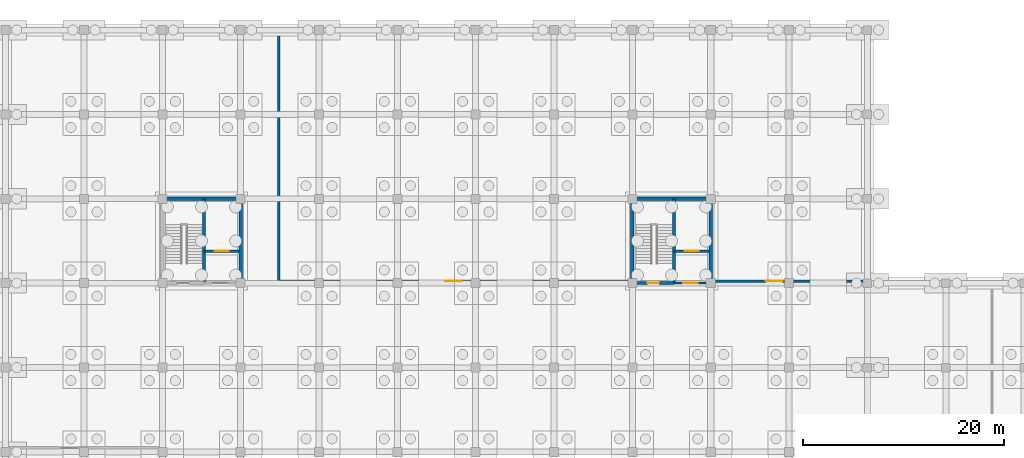
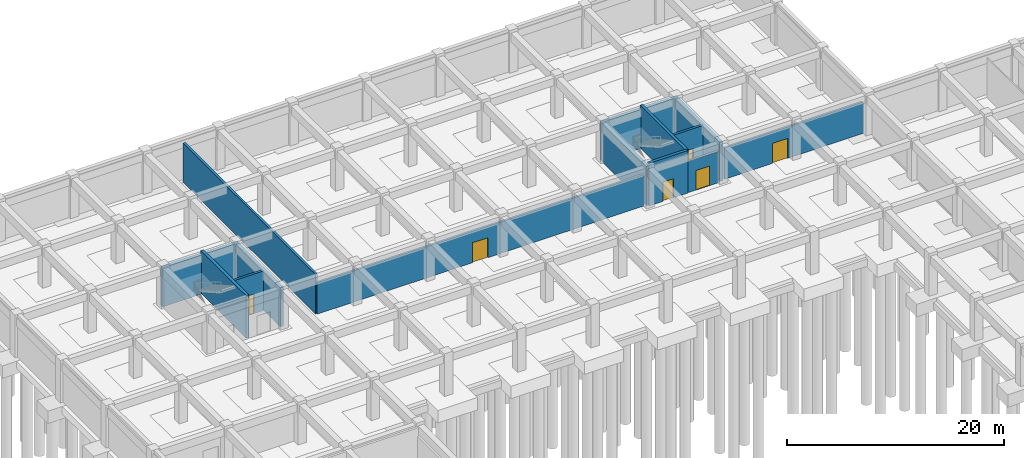
# One storey, part 22 of 31: 14 walls, 6 doors, 6 openings.
"""IFC4 building model written with IfcOpenShell, lengths in metres."""

from ifc_helpers import new_model, si_unit, direction, frame, frame_2d, origin, place, context, subcontext, project, spatial, rectangle, extrude, material, layer, layer_set, type_object, element, fill, save


model = new_model("IFC4")

# Units and contexts
model_context = context("Model", 3, precision=1e-05, world=origin(), true_north=direction((0.0, 1.0)))
body_context = subcontext(model_context, "Body", "Model", "MODEL_VIEW")
ifc_project = project(units=[si_unit("LENGTHUNIT", "METRE"), si_unit("AREAUNIT", "SQUARE_METRE"), si_unit("VOLUMEUNIT", "CUBIC_METRE"), si_unit("PLANEANGLEUNIT", "RADIAN"), si_unit("MASSUNIT", "GRAM", prefix="KILO")], contexts=[model_context])

# Site, building, storey
site_placement = place(None, origin())
site = spatial("IfcSite", under=ifc_project, at=site_placement, CompositionType="ELEMENT")
building_placement = place(site_placement, origin())
building = spatial("IfcBuilding", under=site, at=building_placement, Name="Zizhar Promenade General Hospital", CompositionType="ELEMENT")
storey_placement = place(building_placement, frame((0.0, 0.0, -4.800048828125)))
storey = spatial("IfcBuildingStorey", under=building, at=storey_placement, Name="B1", CompositionType="ELEMENT", Elevation=-4.800048828125)

# Wall, opening, door
ifc_material_1 = material(Name="Concrete C35/45", Category="concrete")
ifc_layer_1 = layer(ifc_material_1, 0.215087890625)
ifc_layer_set_1 = layer_set([ifc_layer_1], Name="Concrete C35/45")
wall_type_1 = type_object("IfcWallType", Name="IW-LOBBY-215", PredefinedType="STANDARD", material=ifc_layer_set_1)
wall_1_placement = place(storey_placement, frame((113.35009765625, 109.199951171875, 0.0), z_axis=(0.0, 0.0, 1.0), x_axis=(1.0, 0.0, 0.0)))
wall_1 = element("IfcWall", 1, at=wall_1_placement, inside=storey, type_object=wall_type_1, Name="Core C7 Lift Lobby South Fire Wall (B1)", PredefinedType="STANDARD", context=body_context, shape_type="SweptSolid", body=[
    extrude(rectangle(XDim=3.289794921875, YDim=0.215087890625, at=frame_2d((1.64501953125, 0.0))), origin(), (0.0, 0.0, 1.0), 3.530029296875),
])
opening_1_placement = place(wall_1_placement, frame((0.925048828125, 0.0, 0.0)))
opening_1 = element("IfcOpeningElement", 2, at=opening_1_placement, cuts=wall_1, Name="Opening D-23", PredefinedType="OPENING", context=body_context, shape_type="SweptSolid", body=[
    extrude(rectangle(XDim=1.43994140625, YDim=2.199951171875, at=frame_2d((0.719970703125, 1.10009765625))), frame((0.0, 0.11767578125, 0.0), z_axis=(0.0, -1.0, 0.0), x_axis=(1.0, 0.0, 0.0)), (0.0, 0.0, 1.0), 0.235107421875),
])
ifc_material_2 = material(Name="Fire-rated timber lift lobby pair", Category="wood")
door_type_1 = type_object("IfcDoorType", Name="DR-LOBBY-PR-144x220", OperationType="DOUBLE_DOOR_SINGLE_SWING", PredefinedType="DOOR", material=ifc_material_2)
door_1_placement = place(opening_1_placement, origin())
door_1 = element("IfcDoor", 3, at=door_1_placement, inside=storey, type_object=door_type_1, Name="Core C7 Protected Lift Lobby Door (B1)", OperationType="DOUBLE_DOOR_SINGLE_SWING", OverallHeight=2.199951171875, OverallWidth=1.43994140625, PredefinedType="DOOR", context=body_context, shape_type="SweptSolid", body=[
    extrude(rectangle(XDim=1.43994140625, YDim=2.199951171875, at=frame_2d((0.719970703125, 1.10009765625))), frame((0.0, 0.02490234375, 0.0), z_axis=(0.0, -1.0, 0.0), x_axis=(1.0, 0.0, 0.0)), (0.0, 0.0, 1.0), 0.050048828125),
])
fill(opening_1, door_1)

ifc_material_3 = material(Name="Concrete block masonry C30/37", Category="masonry")
ifc_layer_2 = layer(ifc_material_3, 0.22998046875)
ifc_layer_set_2 = layer_set([ifc_layer_2], Name="Concrete block masonry C30/37")
wall_type_2 = type_object("IfcWallType", Name="IW-PLNT-230", PredefinedType="STANDARD", material=ifc_layer_set_2)
wall_2_placement = place(storey_placement, frame((74.0, 109.39990234375, 0.0), z_axis=(0.0, 0.0, 1.0), x_axis=(1.0, 0.0, 0.0)))
wall_2 = element("IfcWall", 4, at=wall_2_placement, inside=storey, type_object=wall_type_2, Name="Primary MV-LV Transformer and UPS Plant S Partition", PredefinedType="STANDARD", context=body_context, shape_type="SweptSolid", body=[
    extrude(rectangle(XDim=34.800048828125, YDim=0.22998046875, at=frame_2d((17.39990234375, 0.0))), origin(), (0.0, 0.0, 1.0), 3.530029296875),
])
opening_2_placement = place(wall_2_placement, frame((16.574951171875, 0.0, 0.0)))
opening_2 = element("IfcOpeningElement", 5, at=opening_2_placement, cuts=wall_2, Name="Opening D-24", PredefinedType="OPENING", context=body_context, shape_type="SweptSolid", body=[
    extrude(rectangle(XDim=1.64990234375, YDim=2.25, at=frame_2d((0.824951171875, 1.125))), frame((0.0, 0.125, 0.0), z_axis=(0.0, -1.0, 0.0), x_axis=(1.0, 0.0, 0.0)), (0.0, 0.0, 1.0), 0.25),
])
ifc_material_4 = material(Name="Steel S355 acoustic plant pair", Category="steel")
door_type_2 = type_object("IfcDoorType", Name="DR-PLNT-165x225", OperationType="DOUBLE_DOOR_SINGLE_SWING", PredefinedType="DOOR", material=ifc_material_4)
door_2_placement = place(opening_2_placement, origin())
door_2 = element("IfcDoor", 6, at=door_2_placement, inside=storey, type_object=door_type_2, Name="Primary MV-LV Transformer and UPS Plant Door", OperationType="DOUBLE_DOOR_SINGLE_SWING", OverallHeight=2.25, OverallWidth=1.64990234375, PredefinedType="DOOR", context=body_context, shape_type="SweptSolid", body=[
    extrude(rectangle(XDim=1.64990234375, YDim=2.25, at=frame_2d((0.824951171875, 1.125))), frame((0.0, 0.02490234375, 0.0), z_axis=(0.0, -1.0, 0.0), x_axis=(1.0, 0.0, 0.0)), (0.0, 0.0, 1.0), 0.050048828125),
])
fill(opening_2, door_2)

# Wall
wall_3_placement = place(storey_placement, frame((74.0, 109.39990234375, 0.0), z_axis=(0.0, 0.0, 1.0), x_axis=(0.0, 1.0, 0.0)))
element("IfcWall", 7, at=wall_3_placement, inside=storey, type_object=wall_type_2, Name="Primary MV-LV Transformer and UPS Plant W Partition", PredefinedType="STANDARD", context=body_context, shape_type="SweptSolid", body=[
    extrude(rectangle(XDim=24.400146484375, YDim=0.22998046875, at=frame_2d((12.2001953125, 0.0))), origin(), (0.0, 0.0, 1.0), 4.4599609375),
])

# Wall, opening, door
wall_4_placement = place(storey_placement, frame((117.39990234375, 109.39990234375, 0.0), z_axis=(0.0, 0.0, 1.0), x_axis=(1.0, 0.0, 0.0)))
wall_4 = element("IfcWall", 8, at=wall_4_placement, inside=storey, type_object=wall_type_2, Name="Boiler and Steam Generation Plant S Partition", PredefinedType="STANDARD", context=body_context, shape_type="SweptSolid", body=[
    extrude(rectangle(XDim=14.800048828125, YDim=0.22998046875, at=frame_2d((7.39990234375, 0.0))), origin(), (0.0, 0.0, 1.0), 3.530029296875),
])
opening_3_placement = place(wall_4_placement, frame((5.094970703125, 0.0, 0.0)))
opening_3 = element("IfcOpeningElement", 9, at=opening_3_placement, cuts=wall_4, Name="Opening D-24", PredefinedType="OPENING", context=body_context, shape_type="SweptSolid", body=[
    extrude(rectangle(XDim=1.64990234375, YDim=2.25, at=frame_2d((0.824951171875, 1.125))), frame((0.0, 0.125, 0.0), z_axis=(0.0, -1.0, 0.0), x_axis=(1.0, 0.0, 0.0)), (0.0, 0.0, 1.0), 0.25),
])
door_3_placement = place(opening_3_placement, origin())
door_3 = element("IfcDoor", 10, at=door_3_placement, inside=storey, type_object=door_type_2, Name="Boiler and Steam Generation Plant Door", OperationType="DOUBLE_DOOR_SINGLE_SWING", OverallHeight=2.25, OverallWidth=1.64990234375, PredefinedType="DOOR", context=body_context, shape_type="SweptSolid", body=[
    extrude(rectangle(XDim=1.64990234375, YDim=2.25, at=frame_2d((0.824951171875, 1.125))), frame((0.0, 0.02490234375, 0.0), z_axis=(0.0, -1.0, 0.0), x_axis=(1.0, 0.0, 0.0)), (0.0, 0.0, 1.0), 0.050048828125),
])
fill(opening_3, door_3)

ifc_material_5 = material(Name="Concrete C35/45", Category="concrete")
ifc_layer_3 = layer(ifc_material_5, 0.25)
ifc_layer_set_3 = layer_set([ifc_layer_3], Name="Concrete C35/45")
wall_type_3 = type_object("IfcWallType", Name="IW-SHAFT-250", PredefinedType="STANDARD", material=ifc_layer_set_3)
wall_5_placement = place(storey_placement, frame((66.550048828125, 112.39990234375, 0.0), z_axis=(0.0, 0.0, 1.0), x_axis=(1.0, 0.0, 0.0)))
wall_5 = element("IfcWall", 11, at=wall_5_placement, inside=storey, type_object=wall_type_3, Name="Core C6 Lift Shaft Landing Wall (B1)", PredefinedType="STANDARD", context=body_context, shape_type="SweptSolid", body=[
    extrude(rectangle(XDim=3.5, YDim=0.25, at=frame_2d((1.75, 0.0))), origin(), (0.0, 0.0, 1.0), 4.4599609375),
])
opening_4_placement = place(wall_5_placement, frame((1.050048828125, 0.0, 0.0)))
opening_4 = element("IfcOpeningElement", 12, at=opening_4_placement, cuts=wall_5, Name="Opening LD-14", PredefinedType="OPENING", context=body_context, shape_type="SweptSolid", body=[
    extrude(rectangle(XDim=1.39990234375, YDim=2.199951171875, at=frame_2d((0.699951171875, 1.10009765625))), frame((0.0, 0.135009765625, 0.0), z_axis=(0.0, -1.0, 0.0), x_axis=(1.0, 0.0, 0.0)), (0.0, 0.0, 1.0), 0.27001953125),
])
ifc_material_6 = material(Name="Stainless Steel S355 hospital lift landing door", Category="steel")
door_type_3 = type_object("IfcDoorType", Name="DR-LIFT-LD14", OperationType="SLIDING_TO_LEFT", PredefinedType="DOOR", material=ifc_material_6)
door_4_placement = place(opening_4_placement, origin())
door_4 = element("IfcDoor", 13, at=door_4_placement, inside=storey, type_object=door_type_3, Name="Lift LG-01 Sliding Landing Door (B1)", OperationType="SLIDING_TO_LEFT", OverallHeight=2.199951171875, OverallWidth=1.39990234375, PredefinedType="DOOR", context=body_context, shape_type="SweptSolid", body=[
    extrude(rectangle(XDim=1.39990234375, YDim=2.199951171875, at=frame_2d((0.699951171875, 1.10009765625))), frame((0.0, 0.02490234375, 0.0), z_axis=(0.0, -1.0, 0.0), x_axis=(1.0, 0.0, 0.0)), (0.0, 0.0, 1.0), 0.050048828125),
])
fill(opening_4, door_4)

wall_6_placement = place(storey_placement, frame((113.35009765625, 112.39990234375, 0.0), z_axis=(0.0, 0.0, 1.0), x_axis=(1.0, 0.0, 0.0)))
wall_6 = element("IfcWall", 14, at=wall_6_placement, inside=storey, type_object=wall_type_3, Name="Core C7 Lift Shaft Landing Wall (B1)", PredefinedType="STANDARD", context=body_context, shape_type="SweptSolid", body=[
    extrude(rectangle(XDim=3.5, YDim=0.25, at=frame_2d((1.75, 0.0))), origin(), (0.0, 0.0, 1.0), 4.4599609375),
])
opening_5_placement = place(wall_6_placement, frame((1.050048828125, 0.0, 0.0)))
opening_5 = element("IfcOpeningElement", 15, at=opening_5_placement, cuts=wall_6, Name="Opening LD-14", PredefinedType="OPENING", context=body_context, shape_type="SweptSolid", body=[
    extrude(rectangle(XDim=1.39990234375, YDim=2.199951171875, at=frame_2d((0.699951171875, 1.10009765625))), frame((0.0, 0.135009765625, 0.0), z_axis=(0.0, -1.0, 0.0), x_axis=(1.0, 0.0, 0.0)), (0.0, 0.0, 1.0), 0.27001953125),
])
door_5_placement = place(opening_5_placement, origin())
door_5 = element("IfcDoor", 16, at=door_5_placement, inside=storey, type_object=door_type_3, Name="Lift LG-02 Sliding Landing Door (B1)", OperationType="SLIDING_TO_LEFT", OverallHeight=2.199951171875, OverallWidth=1.39990234375, PredefinedType="DOOR", context=body_context, shape_type="SweptSolid", body=[
    extrude(rectangle(XDim=1.39990234375, YDim=2.199951171875, at=frame_2d((0.699951171875, 1.10009765625))), frame((0.0, 0.02490234375, 0.0), z_axis=(0.0, -1.0, 0.0), x_axis=(1.0, 0.0, 0.0)), (0.0, 0.0, 1.0), 0.050048828125),
])
fill(opening_5, door_5)

# Wall
ifc_material_7 = material(Name="Concrete C40/50", Category="concrete")
ifc_layer_4 = layer(ifc_material_7, 0.300048828125)
ifc_layer_set_4 = layer_set([ifc_layer_4], Name="Concrete C40/50")
wall_type_4 = type_object("IfcWallType", Name="WL-CORE-300", PredefinedType="SHEAR", material=ifc_layer_set_4)
wall_7_placement = place(storey_placement, frame((66.550048828125, 109.199951171875, 0.0), z_axis=(0.0, 0.0, 1.0), x_axis=(0.0, 1.0, 0.0)))
element("IfcWall", 17, at=wall_7_placement, inside=storey, type_object=wall_type_4, Name="Core C6 Stair-Shaft Separation Wall (B1)", PredefinedType="SHEAR", context=body_context, shape_type="SweptSolid", body=[
    extrude(rectangle(XDim=8.400146484375, YDim=0.300048828125, at=frame_2d((4.2001953125, 0.0))), origin(), (0.0, 0.0, 1.0), 4.800048828125),
])

# Wall, opening, door
wall_8_placement = place(storey_placement, frame((109.199951171875, 109.199951171875, 0.0), z_axis=(0.0, 0.0, 1.0), x_axis=(1.0, 0.0, 0.0)))
wall_8 = element("IfcWall", 18, at=wall_8_placement, inside=storey, type_object=wall_type_4, Name="Core C7 Stair South Fire Wall (B1)", PredefinedType="SHEAR", context=body_context, shape_type="SweptSolid", body=[
    extrude(rectangle(XDim=4.150146484375, YDim=0.300048828125, at=frame_2d((2.0751953125, 0.0))), origin(), (0.0, 0.0, 1.0), 4.800048828125),
])
opening_6_placement = place(wall_8_placement, frame((1.514892578125, 0.0, 0.0)))
opening_6 = element("IfcOpeningElement", 19, at=opening_6_placement, cuts=wall_8, Name="Opening D-21", PredefinedType="OPENING", context=body_context, shape_type="SweptSolid", body=[
    extrude(rectangle(XDim=1.1201171875, YDim=2.14990234375, at=frame_2d((0.56005859375, 1.074951171875))), frame((0.0, 0.16015625, 0.0), z_axis=(0.0, -1.0, 0.0), x_axis=(1.0, 0.0, 0.0)), (0.0, 0.0, 1.0), 0.320068359375),
])
ifc_material_8 = material(Name="Steel S355 protected stair door", Category="steel")
door_type_4 = type_object("IfcDoorType", Name="DR-STAIR-112x215", OperationType="NOTDEFINED", PredefinedType="DOOR", material=ifc_material_8)
door_6_placement = place(opening_6_placement, origin())
door_6 = element("IfcDoor", 20, at=door_6_placement, inside=storey, type_object=door_type_4, Name="Exit Stair ST-07 Door (B1)", OperationType="SINGLE_SWING_RIGHT", OverallHeight=2.14990234375, OverallWidth=1.1201171875, PredefinedType="DOOR", context=body_context, shape_type="SweptSolid", body=[
    extrude(rectangle(XDim=1.1201171875, YDim=2.14990234375, at=frame_2d((0.56005859375, 1.074951171875))), frame((0.0, 0.02490234375, 0.0), z_axis=(0.0, -1.0, 0.0), x_axis=(1.0, 0.0, 0.0)), (0.0, 0.0, 1.0), 0.050048828125),
])
fill(opening_6, door_6)

# Walls
wall_9_placement = place(storey_placement, frame((113.35009765625, 109.199951171875, 0.0), z_axis=(0.0, 0.0, 1.0), x_axis=(0.0, 1.0, 0.0)))
element("IfcWall", 21, at=wall_9_placement, inside=storey, type_object=wall_type_4, Name="Core C7 Stair-Shaft Separation Wall (B1)", PredefinedType="SHEAR", context=body_context, shape_type="SweptSolid", body=[
    extrude(rectangle(XDim=8.400146484375, YDim=0.300048828125, at=frame_2d((4.2001953125, 0.0))), origin(), (0.0, 0.0, 1.0), 4.800048828125),
])
ifc_material_9 = material(Name="Concrete C40/50", Category="concrete")
ifc_layer_5 = layer(ifc_material_9, 0.35009765625)
ifc_layer_set_5 = layer_set([ifc_layer_5], Name="Concrete C40/50")
wall_type_5 = type_object("IfcWallType", Name="WL-CORE-350", PredefinedType="SHEAR", material=ifc_layer_set_5)
wall_10_placement = place(storey_placement, frame((62.22509765625, 117.60009765625, 0.0), z_axis=(0.0, 0.0, 1.0), x_axis=(1.0, 0.0, 0.0)))
element("IfcWall", 22, at=wall_10_placement, inside=storey, type_object=wall_type_5, Name="Core C6 North Shear Wall B1", PredefinedType="SHEAR", context=body_context, shape_type="SweptSolid", body=[
    extrude(rectangle(XDim=8.14990234375, YDim=0.35009765625, at=frame_2d((4.074951171875, 0.0))), origin(), (0.0, 0.0, 1.0), 4.400146484375),
])
wall_11_placement = place(storey_placement, frame((70.199951171875, 109.199951171875, 0.0), z_axis=(0.0, 0.0, 1.0), x_axis=(0.0, 1.0, 0.0)))
element("IfcWall", 23, at=wall_11_placement, inside=storey, type_object=wall_type_5, Name="Core C6 East Shear Wall B1", PredefinedType="SHEAR", context=body_context, shape_type="SweptSolid", body=[
    extrude(rectangle(XDim=8.400146484375, YDim=0.35009765625, at=frame_2d((4.2001953125, 0.0))), origin(), (0.0, 0.0, 1.0), 4.400146484375),
])
wall_12_placement = place(storey_placement, frame((109.02490234375, 117.60009765625, 0.0), z_axis=(0.0, 0.0, 1.0), x_axis=(1.0, 0.0, 0.0)))
element("IfcWall", 24, at=wall_12_placement, inside=storey, type_object=wall_type_5, Name="Core C7 North Shear Wall B1", PredefinedType="SHEAR", context=body_context, shape_type="SweptSolid", body=[
    extrude(rectangle(XDim=8.150146484375, YDim=0.35009765625, at=frame_2d((4.0751953125, 0.0))), origin(), (0.0, 0.0, 1.0), 4.400146484375),
])
for number, where, z_axis, x_axis, name in (
    (25, (109.199951171875, 109.199951171875, 0.0), (0.0, 0.0, 1.0), (0.0, 1.0, 0.0), "Core C7 West Shear Wall B1"),
    (26, (117.0, 109.199951171875, 0.0), (0.0, 0.0, 1.0), (0.0, 1.0, 0.0), "Core C7 East Shear Wall B1"),
):
    element("IfcWall", number, at=place(storey_placement, frame(where, z_axis=z_axis, x_axis=x_axis)), inside=storey, type_object=wall_type_5, Name=name, PredefinedType="SHEAR", context=body_context, shape_type="SweptSolid", body=[
        extrude(rectangle(XDim=8.400146484375, YDim=0.35009765625, at=frame_2d((4.2001953125, 0.0))), origin(), (0.0, 0.0, 1.0), 4.400146484375),
    ])

save(model, "model.ifc")
